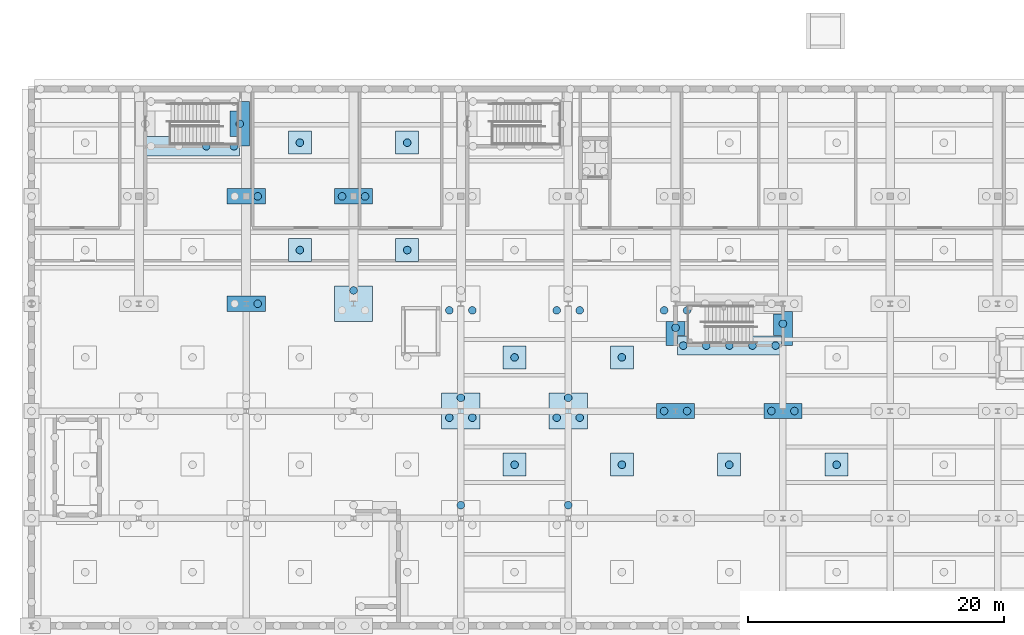
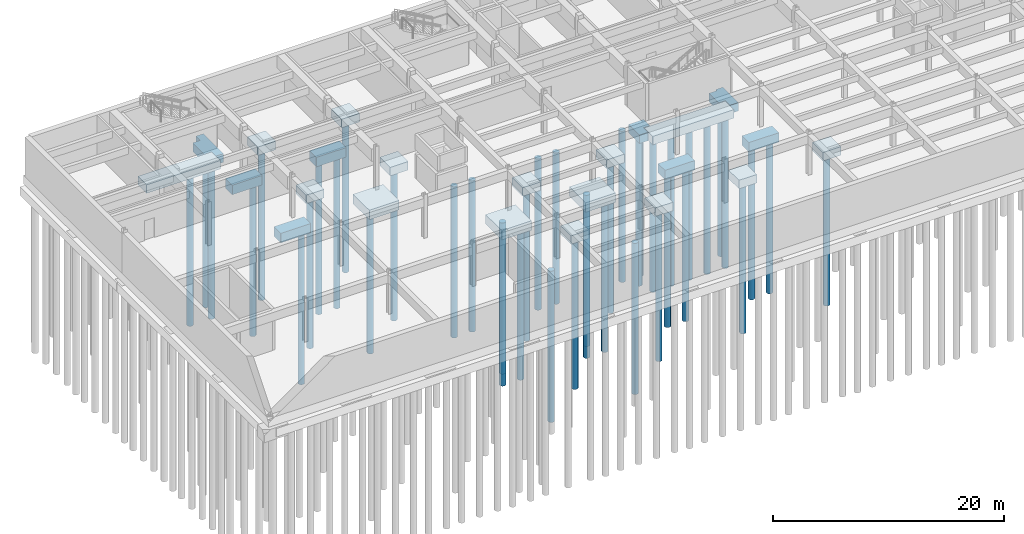
# One storey, part 4 of 33: 43 piles, 23 footings.
"""IFC4 building model written with IfcOpenShell, lengths in metres."""

from ifc_helpers import new_model, si_unit, direction, frame, origin, origin_2d, place, context, subcontext, project, spatial, polyline, circle, outline, extrude, material, layer, layer_set, material_profile, profile_set, type_object, element, save


model = new_model("IFC4")

# Units and contexts
model_context = context("Model", 3, precision=1e-05, world=origin(), true_north=direction((0.0, 1.0)))
body_context = subcontext(model_context, "Body", "Model", "MODEL_VIEW")
ifc_project = project(units=[si_unit("LENGTHUNIT", "METRE"), si_unit("AREAUNIT", "SQUARE_METRE"), si_unit("VOLUMEUNIT", "CUBIC_METRE"), si_unit("PLANEANGLEUNIT", "RADIAN"), si_unit("MASSUNIT", "GRAM", prefix="KILO")], contexts=[model_context])

# Site, building, storey
site_placement = place(None, origin())
site = spatial("IfcSite", under=ifc_project, at=site_placement, CompositionType="ELEMENT")
building_placement = place(site_placement, origin())
building = spatial("IfcBuilding", under=site, at=building_placement, Name="Ljudholm Concert House", CompositionType="ELEMENT")
storey_placement = place(building_placement, frame((0.0, 0.0, -4.60009765625)))
storey = spatial("IfcBuildingStorey", under=building, at=storey_placement, Name="B1", CompositionType="ELEMENT", Elevation=-4.60009765625)

# Piles
ifc_material_1 = material(Name="Concrete 5,000 psi", Category="concrete")
ifc_material_profile = material_profile(ifc_material_1, circle(Radius=0.300048828125, at=origin_2d()), Name="AUGER-CAST PILE D600")
ifc_profile_set = profile_set([ifc_material_profile], Name="Concrete 5,000 psi")
pile_type = type_object("IfcPileType", Name="AUGER-CAST PILE D600", PredefinedType="BORED", material=ifc_profile_set)
for number, where, z_axis, x_axis, name in (
    (1, (21.699951171875, 130.0, -1.89990234375), (0.0, 0.0, -1.0), (1.0, 0.0, 0.0), "Pile D600"),
    (2, (21.699951171875, 138.39990234375, -1.89990234375), (0.0, 0.0, -1.0), (1.0, 0.0, 0.0), "Pile D600"),
    (3, (29.199951171875, 131.039306640625, -1.89990234375), (0.0, 0.0, -1.0), (1.0, 0.0, 0.0), "Pile D600"),
    (4, (28.300048828125, 138.39990234375, -1.89990234375), (0.0, 0.0, -1.0), (1.0, 0.0, 0.0), "Pile D600"),
    (5, (30.10009765625, 138.39990234375, -1.89990234375), (0.0, 0.0, -1.0), (1.0, 0.0, 0.0), "Pile D600"),
    (6, (37.60009765625, 114.2392578125, -1.89990234375), (0.0, 0.0, -1.0), (1.0, 0.0, 0.0), "Pile D600"),
    (7, (36.699951171875, 121.080322265625, -1.89990234375), (0.0, 0.0, -1.0), (1.0, 0.0, 0.0), "Pile D600"),
    (8, (38.5, 121.080322265625, -1.89990234375), (0.0, 0.0, -1.0), (1.0, 0.0, 0.0), "Pile D600"),
    (9, (37.60009765625, 122.63916015625, -1.89990234375), (0.0, 0.0, -1.0), (1.0, 0.0, 0.0), "Pile D600"),
    (10, (36.699951171875, 129.48046875, -1.89990234375), (0.0, 0.0, -1.0), (1.0, 0.0, 0.0), "Pile D600"),
    (11, (38.5, 129.48046875, -1.89990234375), (0.0, 0.0, -1.0), (1.0, 0.0, 0.0), "Pile D600"),
    (12, (46.0, 114.2392578125, -1.89990234375), (0.0, 0.0, -1.0), (1.0, 0.0, 0.0), "Pile D600"),
    (13, (45.10009765625, 121.080322265625, -1.89990234375), (0.0, 0.0, -1.0), (1.0, 0.0, 0.0), "Pile D600"),
    (14, (46.89990234375, 121.080322265625, -1.89990234375), (0.0, 0.0, -1.0), (1.0, 0.0, 0.0), "Pile D600"),
    (15, (46.0, 122.63916015625, -1.89990234375), (0.0, 0.0, -1.0), (1.0, 0.0, 0.0), "Pile D600"),
    (16, (45.10009765625, 129.48046875, -1.89990234375), (0.0, 0.0, -1.0), (1.0, 0.0, 0.0), "Pile D600"),
    (17, (46.89990234375, 129.48046875, -1.89990234375), (0.0, 0.0, -1.0), (1.0, 0.0, 0.0), "Pile D600"),
    (18, (53.5, 121.60009765625, -1.89990234375), (0.0, 0.0, -1.0), (1.0, 0.0, 0.0), "Pile D600"),
    (19, (55.300048828125, 121.60009765625, -1.89990234375), (0.0, 0.0, -1.0), (1.0, 0.0, 0.0), "Pile D600"),
    (20, (53.5, 129.48046875, -1.89990234375), (0.0, 0.0, -1.0), (1.0, 0.0, 0.0), "Pile D600"),
    (21, (55.300048828125, 129.48046875, -1.89990234375), (0.0, 0.0, -1.0), (1.0, 0.0, 0.0), "Pile D600"),
    (22, (61.89990234375, 121.60009765625, -1.89990234375), (0.0, 0.0, -1.0), (1.0, 0.0, 0.0), "Pile D600"),
    (23, (63.699951171875, 121.60009765625, -1.89990234375), (0.0, 0.0, -1.0), (1.0, 0.0, 0.0), "Pile D600"),
    (24, (55.0, 126.72509765625, -1.7998046875), (0.0, 0.0, -1.0), (1.0, 0.0, 0.0), "Pile D600"),
    (25, (56.80615234375, 126.72509765625, -1.7998046875), (0.0, 0.0, -1.0), (1.0, 0.0, 0.0), "Pile D600"),
    (26, (58.612548828125, 126.72509765625, -1.7998046875), (0.0, 0.0, -1.0), (1.0, 0.0, 0.0), "Pile D600"),
    (27, (60.418701171875, 126.72509765625, -1.7998046875), (0.0, 0.0, -1.0), (1.0, 0.0, 0.0), "Pile D600"),
    (28, (62.22509765625, 126.72509765625, -1.7998046875), (0.0, 0.0, -1.0), (1.0, 0.0, 0.0), "Pile D600"),
    (29, (17.679931640625, 142.324951171875, -1.7998046875), (0.0, 0.0, -1.0), (1.0, 0.0, 0.0), "Pile D600"),
    (30, (19.844970703125, 142.324951171875, -1.7998046875), (0.0, 0.0, -1.0), (1.0, 0.0, 0.0), "Pile D600"),
    (31, (54.39990234375, 128.124755859375, -1.7998046875), (0.0, 0.0, -1.0), (1.0, 0.0, 0.0), "Pile D600"),
    (32, (62.800048828125, 128.43017578125, -1.7998046875), (0.0, 0.0, -1.0), (1.0, 0.0, 0.0), "Pile D600"),
    (33, (20.294921875, 144.074951171875, -1.7998046875), (0.0, 0.0, -1.0), (1.0, 0.0, 0.0), "Pile D600"),
    (34, (41.800048828125, 117.39990234375, -1.7998046875), (0.0, 0.0, -1.0), (1.0, 0.0, 0.0), "Pile D600"),
    (35, (50.199951171875, 117.39990234375, -1.7998046875), (0.0, 0.0, -1.0), (1.0, 0.0, 0.0), "Pile D600"),
    (36, (58.60009765625, 117.39990234375, -1.7998046875), (0.0, 0.0, -1.0), (1.0, 0.0, 0.0), "Pile D600"),
    (37, (67.0, 117.39990234375, -1.7998046875), (0.0, 0.0, -1.0), (1.0, 0.0, 0.0), "Pile D600"),
    (38, (41.800048828125, 125.800048828125, -1.7998046875), (0.0, 0.0, -1.0), (1.0, 0.0, 0.0), "Pile D600"),
    (39, (50.199951171875, 125.800048828125, -1.7998046875), (0.0, 0.0, -1.0), (1.0, 0.0, 0.0), "Pile D600"),
    (40, (25.0, 134.199951171875, -1.7998046875), (0.0, 0.0, -1.0), (1.0, 0.0, 0.0), "Pile D600"),
    (41, (33.39990234375, 134.199951171875, -1.7998046875), (0.0, 0.0, -1.0), (1.0, 0.0, 0.0), "Pile D600"),
    (42, (25.0, 142.60009765625, -1.7998046875), (0.0, 0.0, -1.0), (1.0, 0.0, 0.0), "Pile D600"),
    (43, (33.39990234375, 142.60009765625, -1.7998046875), (0.0, 0.0, -1.0), (1.0, 0.0, 0.0), "Pile D600"),
):
    element("IfcPile", number, at=place(storey_placement, frame(where, z_axis=z_axis, x_axis=x_axis)), inside=storey, type_object=pile_type, Name=name, PredefinedType="BORED", context=body_context, shape_type="SweptSolid", body=[
        extrude(circle(Radius=0.300048828125, at=origin_2d()), origin(), (0.0, 0.0, 1.0), 16.0),
    ])

# Footings
ifc_material_2 = material(Name="Concrete 5,000 psi", Category="concrete")
ifc_layer_1 = layer(ifc_material_2, 0.89990234375)
ifc_layer_set_1 = layer_set([ifc_layer_1], Name="Concrete 5,000 psi")
footing_type_1 = type_object("IfcFootingType", Name="RC PILE CAP 1800x1800x900", PredefinedType="PILE_CAP", material=ifc_layer_set_1)
footing_1_placement = place(storey_placement, frame((0.0, 0.0, -1.7998046875)))
element("IfcFooting", 44, at=footing_1_placement, inside=storey, type_object=footing_type_1, Name="Uplift pile cap", PredefinedType="PILE_CAP", context=body_context, shape_type="SweptSolid", body=[
    extrude(outline(polyline([(40.909912109375, 116.5), (42.68994140625, 116.5), (42.69384765625, 116.500732421875), (42.697021484375, 116.5029296875), (42.69921875, 116.506103515625), (42.699951171875, 116.510009765625), (42.699951171875, 118.2900390625), (42.69921875, 118.2939453125), (42.697021484375, 118.297119140625), (42.69384765625, 118.29931640625), (42.68994140625, 118.300048828125), (40.909912109375, 118.300048828125), (40.90625, 118.29931640625), (40.90283203125, 118.297119140625), (40.90087890625, 118.2939453125), (40.89990234375, 118.2900390625), (40.89990234375, 116.510009765625), (40.90087890625, 116.506103515625), (40.90283203125, 116.5029296875), (40.90625, 116.500732421875), (40.909912109375, 116.5)])), origin(), (0.0, 0.0, 1.0), 0.89990234375),
])
footing_2_placement = place(storey_placement, frame((0.0, 0.0, -1.7998046875)))
element("IfcFooting", 45, at=footing_2_placement, inside=storey, type_object=footing_type_1, Name="Uplift pile cap", PredefinedType="PILE_CAP", context=body_context, shape_type="SweptSolid", body=[
    extrude(outline(polyline([(49.31005859375, 116.5), (51.090087890625, 116.5), (51.09375, 116.500732421875), (51.09716796875, 116.5029296875), (51.09912109375, 116.506103515625), (51.10009765625, 116.510009765625), (51.10009765625, 118.2900390625), (51.09912109375, 118.2939453125), (51.09716796875, 118.297119140625), (51.09375, 118.29931640625), (51.090087890625, 118.300048828125), (49.31005859375, 118.300048828125), (49.30615234375, 118.29931640625), (49.302978515625, 118.297119140625), (49.30078125, 118.2939453125), (49.300048828125, 118.2900390625), (49.300048828125, 116.510009765625), (49.30078125, 116.506103515625), (49.302978515625, 116.5029296875), (49.30615234375, 116.500732421875), (49.31005859375, 116.5)])), origin(), (0.0, 0.0, 1.0), 0.89990234375),
])
footing_3_placement = place(storey_placement, frame((0.0, 0.0, -1.7998046875)))
element("IfcFooting", 46, at=footing_3_placement, inside=storey, type_object=footing_type_1, Name="Uplift pile cap", PredefinedType="PILE_CAP", context=body_context, shape_type="SweptSolid", body=[
    extrude(outline(polyline([(57.7099609375, 116.5), (59.489990234375, 116.5), (59.493896484375, 116.500732421875), (59.4970703125, 116.5029296875), (59.499267578125, 116.506103515625), (59.5, 116.510009765625), (59.5, 118.2900390625), (59.499267578125, 118.2939453125), (59.4970703125, 118.297119140625), (59.493896484375, 118.29931640625), (59.489990234375, 118.300048828125), (57.7099609375, 118.300048828125), (57.7060546875, 118.29931640625), (57.702880859375, 118.297119140625), (57.70068359375, 118.2939453125), (57.699951171875, 118.2900390625), (57.699951171875, 116.510009765625), (57.70068359375, 116.506103515625), (57.702880859375, 116.5029296875), (57.7060546875, 116.500732421875), (57.7099609375, 116.5)])), origin(), (0.0, 0.0, 1.0), 0.89990234375),
])
footing_4_placement = place(storey_placement, frame((0.0, 0.0, -1.7998046875)))
element("IfcFooting", 47, at=footing_4_placement, inside=storey, type_object=footing_type_1, Name="Uplift pile cap", PredefinedType="PILE_CAP", context=body_context, shape_type="SweptSolid", body=[
    extrude(outline(polyline([(66.110107421875, 116.5), (67.889892578125, 116.5), (67.893798828125, 116.500732421875), (67.89697265625, 116.5029296875), (67.899169921875, 116.506103515625), (67.89990234375, 116.510009765625), (67.89990234375, 118.2900390625), (67.899169921875, 118.2939453125), (67.89697265625, 118.297119140625), (67.893798828125, 118.29931640625), (67.889892578125, 118.300048828125), (66.110107421875, 118.300048828125), (66.106201171875, 118.29931640625), (66.10302734375, 118.297119140625), (66.100830078125, 118.2939453125), (66.10009765625, 118.2900390625), (66.10009765625, 116.510009765625), (66.100830078125, 116.506103515625), (66.10302734375, 116.5029296875), (66.106201171875, 116.500732421875), (66.110107421875, 116.5)])), origin(), (0.0, 0.0, 1.0), 0.89990234375),
])
footing_5_placement = place(storey_placement, frame((0.0, 0.0, -1.7998046875)))
element("IfcFooting", 48, at=footing_5_placement, inside=storey, type_object=footing_type_1, Name="Uplift pile cap", PredefinedType="PILE_CAP", context=body_context, shape_type="SweptSolid", body=[
    extrude(outline(polyline([(40.89990234375, 126.68994140625), (40.89990234375, 124.909912109375), (40.90087890625, 124.90625), (40.90283203125, 124.90283203125), (40.90625, 124.90087890625), (40.909912109375, 124.89990234375), (42.68994140625, 124.89990234375), (42.69384765625, 124.90087890625), (42.697021484375, 124.90283203125), (42.69921875, 124.90625), (42.699951171875, 124.909912109375), (42.699951171875, 126.68994140625), (42.69921875, 126.69384765625), (42.697021484375, 126.697021484375), (42.69384765625, 126.69921875), (42.68994140625, 126.699951171875), (40.909912109375, 126.699951171875), (40.90625, 126.69921875), (40.90283203125, 126.697021484375), (40.90087890625, 126.69384765625), (40.89990234375, 126.68994140625)])), origin(), (0.0, 0.0, 1.0), 0.89990234375),
])
footing_6_placement = place(storey_placement, frame((0.0, 0.0, -1.7998046875)))
element("IfcFooting", 49, at=footing_6_placement, inside=storey, type_object=footing_type_1, Name="Uplift pile cap", PredefinedType="PILE_CAP", context=body_context, shape_type="SweptSolid", body=[
    extrude(outline(polyline([(49.300048828125, 126.68994140625), (49.300048828125, 124.909912109375), (49.30078125, 124.90625), (49.302978515625, 124.90283203125), (49.30615234375, 124.90087890625), (49.31005859375, 124.89990234375), (51.090087890625, 124.89990234375), (51.09375, 124.90087890625), (51.09716796875, 124.90283203125), (51.09912109375, 124.90625), (51.10009765625, 124.909912109375), (51.10009765625, 126.68994140625), (51.09912109375, 126.69384765625), (51.09716796875, 126.697021484375), (51.09375, 126.69921875), (51.090087890625, 126.699951171875), (49.31005859375, 126.699951171875), (49.30615234375, 126.69921875), (49.302978515625, 126.697021484375), (49.30078125, 126.69384765625), (49.300048828125, 126.68994140625)])), origin(), (0.0, 0.0, 1.0), 0.89990234375),
])
footing_7_placement = place(storey_placement, frame((0.0, 0.0, -1.7998046875)))
element("IfcFooting", 50, at=footing_7_placement, inside=storey, type_object=footing_type_1, Name="Uplift pile cap", PredefinedType="PILE_CAP", context=body_context, shape_type="SweptSolid", body=[
    extrude(outline(polyline([(24.110107421875, 133.300048828125), (25.889892578125, 133.300048828125), (25.893798828125, 133.30078125), (25.89697265625, 133.302978515625), (25.899169921875, 133.30615234375), (25.89990234375, 133.31005859375), (25.89990234375, 135.090087890625), (25.899169921875, 135.09375), (25.89697265625, 135.09716796875), (25.893798828125, 135.09912109375), (25.889892578125, 135.10009765625), (24.110107421875, 135.10009765625), (24.106201171875, 135.09912109375), (24.10302734375, 135.09716796875), (24.100830078125, 135.09375), (24.10009765625, 135.090087890625), (24.10009765625, 133.31005859375), (24.100830078125, 133.30615234375), (24.10302734375, 133.302978515625), (24.106201171875, 133.30078125), (24.110107421875, 133.300048828125)])), origin(), (0.0, 0.0, 1.0), 0.89990234375),
])
footing_8_placement = place(storey_placement, frame((0.0, 0.0, -1.7998046875)))
element("IfcFooting", 51, at=footing_8_placement, inside=storey, type_object=footing_type_1, Name="Uplift pile cap", PredefinedType="PILE_CAP", context=body_context, shape_type="SweptSolid", body=[
    extrude(outline(polyline([(32.510009765625, 133.300048828125), (34.2900390625, 133.300048828125), (34.2939453125, 133.30078125), (34.297119140625, 133.302978515625), (34.29931640625, 133.30615234375), (34.300048828125, 133.31005859375), (34.300048828125, 135.090087890625), (34.29931640625, 135.09375), (34.297119140625, 135.09716796875), (34.2939453125, 135.09912109375), (34.2900390625, 135.10009765625), (32.510009765625, 135.10009765625), (32.506103515625, 135.09912109375), (32.5029296875, 135.09716796875), (32.500732421875, 135.09375), (32.5, 135.090087890625), (32.5, 133.31005859375), (32.500732421875, 133.30615234375), (32.5029296875, 133.302978515625), (32.506103515625, 133.30078125), (32.510009765625, 133.300048828125)])), origin(), (0.0, 0.0, 1.0), 0.89990234375),
])
footing_9_placement = place(storey_placement, frame((0.0, 0.0, -1.7998046875)))
element("IfcFooting", 52, at=footing_9_placement, inside=storey, type_object=footing_type_1, Name="Uplift pile cap", PredefinedType="PILE_CAP", context=body_context, shape_type="SweptSolid", body=[
    extrude(outline(polyline([(24.10009765625, 143.489990234375), (24.10009765625, 141.7099609375), (24.100830078125, 141.7060546875), (24.10302734375, 141.702880859375), (24.106201171875, 141.70068359375), (24.110107421875, 141.699951171875), (25.889892578125, 141.699951171875), (25.893798828125, 141.70068359375), (25.89697265625, 141.702880859375), (25.899169921875, 141.7060546875), (25.89990234375, 141.7099609375), (25.89990234375, 143.489990234375), (25.899169921875, 143.493896484375), (25.89697265625, 143.4970703125), (25.893798828125, 143.499267578125), (25.889892578125, 143.5), (24.110107421875, 143.5), (24.106201171875, 143.499267578125), (24.10302734375, 143.4970703125), (24.100830078125, 143.493896484375), (24.10009765625, 143.489990234375)])), origin(), (0.0, 0.0, 1.0), 0.89990234375),
])
footing_10_placement = place(storey_placement, frame((0.0, 0.0, -1.7998046875)))
element("IfcFooting", 53, at=footing_10_placement, inside=storey, type_object=footing_type_1, Name="Uplift pile cap", PredefinedType="PILE_CAP", context=body_context, shape_type="SweptSolid", body=[
    extrude(outline(polyline([(32.5, 143.489990234375), (32.5, 141.7099609375), (32.500732421875, 141.7060546875), (32.5029296875, 141.702880859375), (32.506103515625, 141.70068359375), (32.510009765625, 141.699951171875), (34.2900390625, 141.699951171875), (34.2939453125, 141.70068359375), (34.297119140625, 141.702880859375), (34.29931640625, 141.7060546875), (34.300048828125, 141.7099609375), (34.300048828125, 143.489990234375), (34.29931640625, 143.493896484375), (34.297119140625, 143.4970703125), (34.2939453125, 143.499267578125), (34.2900390625, 143.5), (32.510009765625, 143.5), (32.506103515625, 143.499267578125), (32.5029296875, 143.4970703125), (32.500732421875, 143.493896484375), (32.5, 143.489990234375)])), origin(), (0.0, 0.0, 1.0), 0.89990234375),
])
ifc_material_3 = material(Name="Concrete 5,000 psi", Category="concrete")
ifc_layer_2 = layer(ifc_material_3, 1.0)
ifc_layer_set_2 = layer_set([ifc_layer_2], Name="Concrete 5,000 psi")
footing_type_2 = type_object("IfcFootingType", Name="RC PILE CAP 3000x1200x1000", PredefinedType="PILE_CAP", material=ifc_layer_set_2)
footing_11_placement = place(storey_placement, frame((0.0, 0.0, -1.89990234375)))
element("IfcFooting", 54, at=footing_11_placement, inside=storey, type_object=footing_type_2, Name="Pile cap", PredefinedType="PILE_CAP", context=body_context, shape_type="SweptSolid", body=[
    extrude(outline(polyline([(19.31005859375, 129.39990234375), (22.2900390625, 129.39990234375), (22.2939453125, 129.40087890625), (22.29833984375, 129.404541015625), (22.300048828125, 129.409912109375), (22.300048828125, 130.590087890625), (22.29931640625, 130.59375), (22.295654296875, 130.598388671875), (22.2900390625, 130.60009765625), (19.31005859375, 130.60009765625), (19.30615234375, 130.59912109375), (19.3017578125, 130.595458984375), (19.300048828125, 130.590087890625), (19.300048828125, 129.409912109375), (19.30078125, 129.40625), (19.302978515625, 129.40283203125), (19.30615234375, 129.40087890625), (19.31005859375, 129.39990234375)])), origin(), (0.0, 0.0, 1.0), 1.0),
])
footing_12_placement = place(storey_placement, frame((0.0, 0.0, -1.89990234375)))
element("IfcFooting", 55, at=footing_12_placement, inside=storey, type_object=footing_type_2, Name="Pile cap", PredefinedType="PILE_CAP", context=body_context, shape_type="SweptSolid", body=[
    extrude(outline(polyline([(19.300048828125, 138.989990234375), (19.300048828125, 137.81005859375), (19.3017578125, 137.804443359375), (19.30615234375, 137.80078125), (19.31005859375, 137.800048828125), (22.2900390625, 137.800048828125), (22.295654296875, 137.8017578125), (22.29931640625, 137.80615234375), (22.300048828125, 137.81005859375), (22.300048828125, 138.989990234375), (22.29833984375, 138.99560546875), (22.2939453125, 138.999267578125), (22.2900390625, 139.0), (19.31005859375, 139.0), (19.30615234375, 138.999267578125), (19.302978515625, 138.9970703125), (19.30078125, 138.993896484375), (19.300048828125, 138.989990234375)])), origin(), (0.0, 0.0, 1.0), 1.0),
])
footing_13_placement = place(storey_placement, frame((0.0, 0.0, -1.89990234375)))
element("IfcFooting", 56, at=footing_13_placement, inside=storey, type_object=footing_type_2, Name="Pile cap", PredefinedType="PILE_CAP", context=body_context, shape_type="SweptSolid", body=[
    extrude(outline(polyline([(27.699951171875, 138.989990234375), (27.699951171875, 137.81005859375), (27.70166015625, 137.804443359375), (27.7060546875, 137.80078125), (27.7099609375, 137.800048828125), (30.68994140625, 137.800048828125), (30.695556640625, 137.8017578125), (30.69921875, 137.80615234375), (30.699951171875, 137.81005859375), (30.699951171875, 138.989990234375), (30.6982421875, 138.99560546875), (30.69384765625, 138.999267578125), (30.68994140625, 139.0), (27.7099609375, 139.0), (27.7060546875, 138.999267578125), (27.702880859375, 138.9970703125), (27.70068359375, 138.993896484375), (27.699951171875, 138.989990234375)])), origin(), (0.0, 0.0, 1.0), 1.0),
])
footing_14_placement = place(storey_placement, frame((0.0, 0.0, -1.89990234375)))
element("IfcFooting", 57, at=footing_14_placement, inside=storey, type_object=footing_type_2, Name="Pile cap", PredefinedType="PILE_CAP", context=body_context, shape_type="SweptSolid", body=[
    extrude(outline(polyline([(52.89990234375, 122.18994140625), (52.89990234375, 121.010009765625), (52.901611328125, 121.00439453125), (52.90625, 121.000732421875), (52.909912109375, 121.0), (55.889892578125, 121.0), (55.8955078125, 121.001708984375), (55.899169921875, 121.006103515625), (55.89990234375, 121.010009765625), (55.89990234375, 122.18994140625), (55.898193359375, 122.195556640625), (55.893798828125, 122.19921875), (55.889892578125, 122.199951171875), (52.909912109375, 122.199951171875), (52.90625, 122.19921875), (52.90283203125, 122.197021484375), (52.90087890625, 122.19384765625), (52.89990234375, 122.18994140625)])), origin(), (0.0, 0.0, 1.0), 1.0),
])
footing_15_placement = place(storey_placement, frame((0.0, 0.0, -1.89990234375)))
element("IfcFooting", 58, at=footing_15_placement, inside=storey, type_object=footing_type_2, Name="Pile cap", PredefinedType="PILE_CAP", context=body_context, shape_type="SweptSolid", body=[
    extrude(outline(polyline([(61.300048828125, 122.18994140625), (61.300048828125, 121.010009765625), (61.3017578125, 121.00439453125), (61.30615234375, 121.000732421875), (61.31005859375, 121.0), (64.2900390625, 121.0), (64.295654296875, 121.001708984375), (64.29931640625, 121.006103515625), (64.300048828125, 121.010009765625), (64.300048828125, 122.18994140625), (64.29833984375, 122.195556640625), (64.2939453125, 122.19921875), (64.2900390625, 122.199951171875), (61.31005859375, 122.199951171875), (61.30615234375, 122.19921875), (61.302978515625, 122.197021484375), (61.30078125, 122.19384765625), (61.300048828125, 122.18994140625)])), origin(), (0.0, 0.0, 1.0), 1.0),
])
ifc_material_4 = material(Name="Concrete 5,000 psi", Category="concrete")
ifc_layer_3 = layer(ifc_material_4, 1.0)
ifc_layer_set_3 = layer_set([ifc_layer_3], Name="Concrete 5,000 psi")
footing_type_3 = type_object("IfcFootingType", Name="RC PILE CAP 3000x2800x1000", PredefinedType="PILE_CAP", material=ifc_layer_set_3)
footing_16_placement = place(storey_placement, frame((0.0, 0.0, -1.89990234375)))
element("IfcFooting", 59, at=footing_16_placement, inside=storey, type_object=footing_type_3, Name="Pile cap", PredefinedType="PILE_CAP", context=body_context, shape_type="SweptSolid", body=[
    extrude(outline(polyline([(27.7099609375, 128.60009765625), (30.68994140625, 128.60009765625), (30.69384765625, 128.600830078125), (30.697021484375, 128.60302734375), (30.69921875, 128.606201171875), (30.699951171875, 128.610107421875), (30.699951171875, 131.389892578125), (30.69921875, 131.393798828125), (30.697021484375, 131.39697265625), (30.69384765625, 131.399169921875), (30.68994140625, 131.39990234375), (27.7099609375, 131.39990234375), (27.7060546875, 131.399169921875), (27.702880859375, 131.39697265625), (27.70068359375, 131.393798828125), (27.699951171875, 131.389892578125), (27.699951171875, 128.610107421875), (27.70068359375, 128.606201171875), (27.702880859375, 128.60302734375), (27.7060546875, 128.600830078125), (27.7099609375, 128.60009765625)])), origin(), (0.0, 0.0, 1.0), 1.0),
])
footing_17_placement = place(storey_placement, frame((0.0, 0.0, -1.89990234375)))
element("IfcFooting", 60, at=footing_17_placement, inside=storey, type_object=footing_type_3, Name="Pile cap", PredefinedType="PILE_CAP", context=body_context, shape_type="SweptSolid", body=[
    extrude(outline(polyline([(36.110107421875, 120.199951171875), (39.090087890625, 120.199951171875), (39.09375, 120.20068359375), (39.09716796875, 120.202880859375), (39.09912109375, 120.2060546875), (39.10009765625, 120.2099609375), (39.10009765625, 122.989990234375), (39.09912109375, 122.993896484375), (39.09716796875, 122.9970703125), (39.09375, 122.999267578125), (39.090087890625, 123.0), (36.110107421875, 123.0), (36.106201171875, 122.999267578125), (36.10302734375, 122.9970703125), (36.100830078125, 122.993896484375), (36.10009765625, 122.989990234375), (36.10009765625, 120.2099609375), (36.100830078125, 120.2060546875), (36.10302734375, 120.202880859375), (36.106201171875, 120.20068359375), (36.110107421875, 120.199951171875)])), origin(), (0.0, 0.0, 1.0), 1.0),
])
footing_18_placement = place(storey_placement, frame((0.0, 0.0, -1.89990234375)))
element("IfcFooting", 61, at=footing_18_placement, inside=storey, type_object=footing_type_3, Name="Pile cap", PredefinedType="PILE_CAP", context=body_context, shape_type="SweptSolid", body=[
    extrude(outline(polyline([(44.510009765625, 120.199951171875), (47.489990234375, 120.199951171875), (47.493896484375, 120.20068359375), (47.4970703125, 120.202880859375), (47.499267578125, 120.2060546875), (47.5, 120.2099609375), (47.5, 122.989990234375), (47.499267578125, 122.993896484375), (47.4970703125, 122.9970703125), (47.493896484375, 122.999267578125), (47.489990234375, 123.0), (44.510009765625, 123.0), (44.506103515625, 122.999267578125), (44.5029296875, 122.9970703125), (44.500732421875, 122.993896484375), (44.5, 122.989990234375), (44.5, 120.2099609375), (44.500732421875, 120.2060546875), (44.5029296875, 120.202880859375), (44.506103515625, 120.20068359375), (44.510009765625, 120.199951171875)])), origin(), (0.0, 0.0, 1.0), 1.0),
])
ifc_material_5 = material(Name="Concrete 5,000 psi", Category="concrete")
ifc_layer_4 = layer(ifc_material_5, 0.89990234375)
ifc_layer_set_4 = layer_set([ifc_layer_4], Name="Concrete 5,000 psi")
footing_type_4 = type_object("IfcFootingType", Name="RC STRIP FOOTING 1500x900", PredefinedType="STRIP_FOOTING", material=ifc_layer_set_4)
footing_19_placement = place(storey_placement, frame((0.0, 0.0, -1.7998046875)))
element("IfcFooting", 62, at=footing_19_placement, inside=storey, type_object=footing_type_4, Name="Strip footing", PredefinedType="STRIP_FOOTING", context=body_context, shape_type="SweptSolid", body=[
    extrude(outline(polyline([(54.56005859375, 125.97509765625), (62.6669921875, 125.97509765625), (62.669677734375, 125.97607421875), (62.6728515625, 125.978759765625), (62.674560546875, 125.982177734375), (62.675048828125, 125.985107421875), (62.6748046875, 127.467041015625), (62.67333984375, 127.470458984375), (62.67138671875, 127.47265625), (62.6689453125, 127.47412109375), (62.6650390625, 127.47509765625), (54.55810546875, 127.474853515625), (54.55517578125, 127.473876953125), (54.55224609375, 127.471435546875), (54.550537109375, 127.468017578125), (54.550048828125, 127.465087890625), (54.550048828125, 125.985107421875), (54.55078125, 125.981201171875), (54.552978515625, 125.97802734375), (54.55615234375, 125.975830078125), (54.56005859375, 125.97509765625)])), origin(), (0.0, 0.0, 1.0), 0.89990234375),
])
footing_20_placement = place(storey_placement, frame((0.0, 0.0, -1.7998046875)))
element("IfcFooting", 63, at=footing_20_placement, inside=storey, type_object=footing_type_4, Name="Strip footing", PredefinedType="STRIP_FOOTING", context=body_context, shape_type="SweptSolid", body=[
    extrude(outline(polyline([(12.909912109375, 141.574951171875), (20.286865234375, 141.5751953125), (20.289794921875, 141.576171875), (20.292724609375, 141.57861328125), (20.294189453125, 141.5810546875), (20.294921875, 141.5849609375), (20.294921875, 143.06689453125), (20.293701171875, 143.06982421875), (20.291259765625, 143.07275390625), (20.287841796875, 143.074462890625), (20.284912109375, 143.074951171875), (12.907958984375, 143.07470703125), (12.9052734375, 143.07373046875), (12.90234375, 143.0712890625), (12.90087890625, 143.06884765625), (12.89990234375, 143.06494140625), (12.89990234375, 141.5849609375), (12.90087890625, 141.5810546875), (12.90283203125, 141.577880859375), (12.90625, 141.57568359375), (12.909912109375, 141.574951171875)])), origin(), (0.0, 0.0, 1.0), 0.89990234375),
])
footing_21_placement = place(storey_placement, frame((0.0, 0.0, -1.7998046875)))
element("IfcFooting", 64, at=footing_21_placement, inside=storey, type_object=footing_type_4, Name="Strip footing", PredefinedType="STRIP_FOOTING", context=body_context, shape_type="SweptSolid", body=[
    extrude(outline(polyline([(53.659912109375, 126.72509765625), (54.489990234375, 126.72509765625), (54.49462890625, 126.72607421875), (54.498291015625, 126.7294921875), (54.5, 126.735107421875), (54.5, 127.5146484375), (54.50048828125, 127.517822265625), (54.502197265625, 127.521240234375), (54.506103515625, 127.524169921875), (54.51025390625, 127.52490234375), (55.139892578125, 127.52490234375), (55.143798828125, 127.52587890625), (55.147705078125, 127.528564453125), (55.149658203125, 127.531982421875), (55.14990234375, 127.534912109375), (55.14990234375, 128.590087890625), (55.149169921875, 128.59375), (55.146240234375, 128.59765625), (55.142822265625, 128.599609375), (55.139892578125, 128.60009765625), (53.659912109375, 128.60009765625), (53.6552734375, 128.598876953125), (53.65234375, 128.596435546875), (53.650390625, 128.593017578125), (53.64990234375, 128.590087890625), (53.64990234375, 126.735107421875), (53.65087890625, 126.731201171875), (53.65283203125, 126.72802734375), (53.65625, 126.725830078125), (53.659912109375, 126.72509765625)])), origin(), (0.0, 0.0, 1.0), 0.89990234375),
])
footing_22_placement = place(storey_placement, frame((0.0, 0.0, -1.7998046875)))
element("IfcFooting", 65, at=footing_22_placement, inside=storey, type_object=footing_type_4, Name="Strip footing", PredefinedType="STRIP_FOOTING", context=body_context, shape_type="SweptSolid", body=[
    extrude(outline(polyline([(62.050048828125, 129.18994140625), (62.050048828125, 127.534912109375), (62.0517578125, 127.529541015625), (62.05517578125, 127.526123046875), (62.06005859375, 127.52490234375), (62.71484375, 127.52490234375), (62.71875, 127.524169921875), (62.72265625, 127.521240234375), (62.724609375, 127.517822265625), (62.72509765625, 127.5146484375), (62.72509765625, 126.735107421875), (62.726806640625, 126.7294921875), (62.730224609375, 126.72607421875), (62.735107421875, 126.72509765625), (63.5400390625, 126.72509765625), (63.545654296875, 126.726806640625), (63.548828125, 126.730224609375), (63.550048828125, 126.735107421875), (63.550048828125, 129.389892578125), (63.54833984375, 129.3955078125), (63.544677734375, 129.39892578125), (63.5400390625, 129.39990234375), (62.850830078125, 129.39990234375), (62.84716796875, 129.39892578125), (62.8447265625, 129.39697265625), (62.842529296875, 129.393798828125), (62.841796875, 129.390869140625), (62.841796875, 129.210205078125), (62.840087890625, 129.204345703125), (62.838134765625, 129.202392578125), (62.834716796875, 129.200439453125), (62.06005859375, 129.199951171875), (62.05615234375, 129.19921875), (62.052978515625, 129.197021484375), (62.05078125, 129.19384765625), (62.050048828125, 129.18994140625)])), origin(), (0.0, 0.0, 1.0), 0.89990234375),
])
footing_23_placement = place(storey_placement, frame((0.0, 0.0, -1.7998046875)))
element("IfcFooting", 66, at=footing_23_placement, inside=storey, type_object=footing_type_4, Name="Strip footing", PredefinedType="STRIP_FOOTING", context=body_context, shape_type="SweptSolid", body=[
    extrude(outline(polyline([(19.554931640625, 143.074951171875), (20.28466796875, 143.074951171875), (20.288818359375, 143.07421875), (20.2919921875, 143.072021484375), (20.294189453125, 143.06884765625), (20.294921875, 143.064697265625), (20.294921875, 142.3349609375), (20.296630859375, 142.329345703125), (20.30029296875, 142.326171875), (20.304931640625, 142.324951171875), (21.034912109375, 142.324951171875), (21.039794921875, 142.326171875), (21.043701171875, 142.330322265625), (21.044921875, 142.3349609375), (21.044921875, 145.81494140625), (21.043212890625, 145.820556640625), (21.039794921875, 145.82373046875), (21.034912109375, 145.824951171875), (20.304931640625, 145.824951171875), (20.30029296875, 145.82373046875), (20.296630859375, 145.820556640625), (20.294921875, 145.81494140625), (20.294921875, 145.085205078125), (20.294189453125, 145.081298828125), (20.2919921875, 145.077880859375), (20.288818359375, 145.07568359375), (20.28466796875, 145.074951171875), (19.554931640625, 145.074951171875), (19.55029296875, 145.07373046875), (19.546142578125, 145.06982421875), (19.544921875, 145.06494140625), (19.544921875, 143.0849609375), (19.545654296875, 143.0810546875), (19.5478515625, 143.077880859375), (19.55126953125, 143.07568359375), (19.554931640625, 143.074951171875)])), origin(), (0.0, 0.0, 1.0), 0.89990234375),
])

save(model, "model.ifc")
